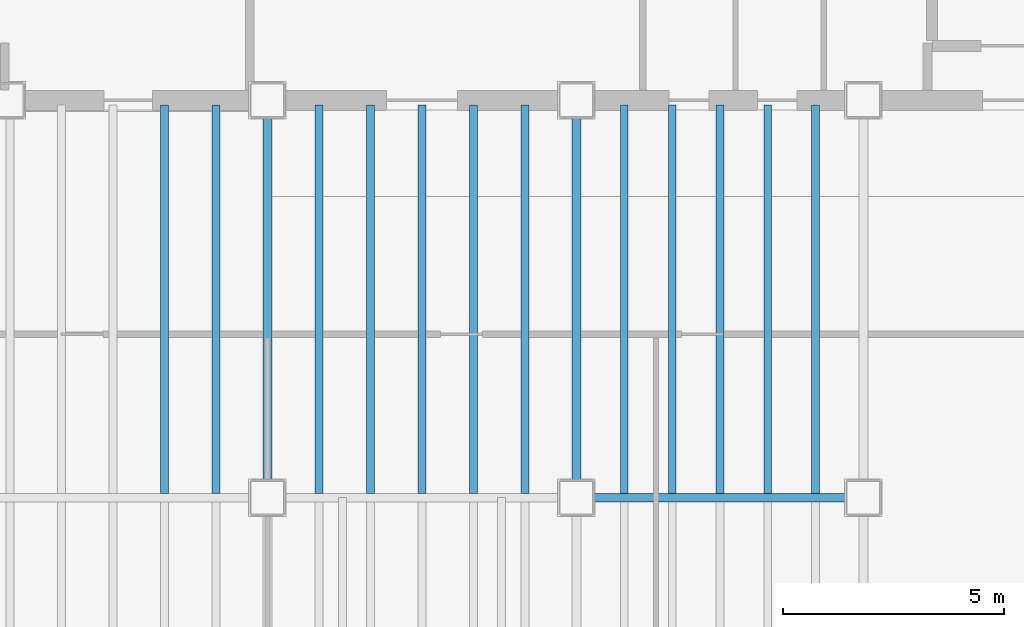
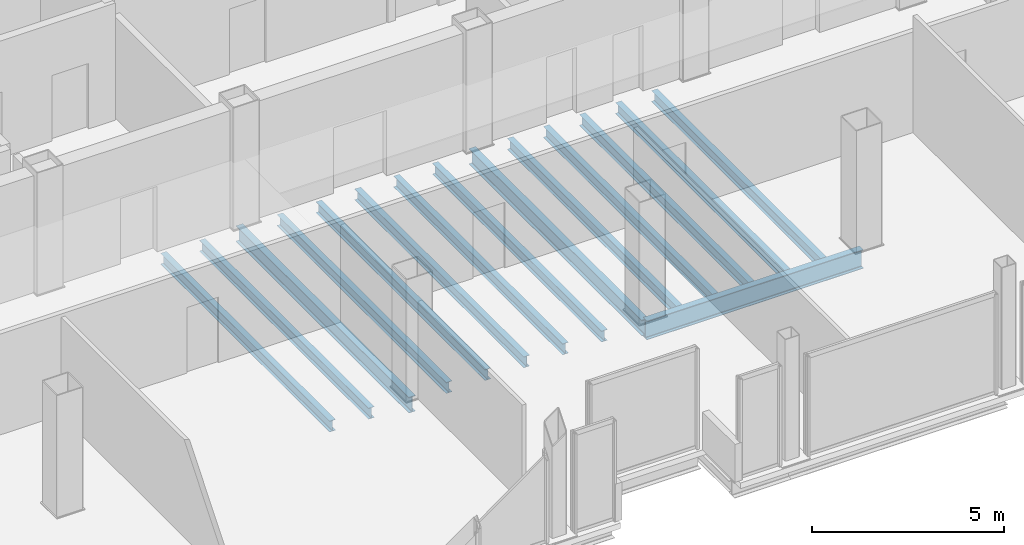
# One storey, part 7 of 16: 15 beams.
"""IFC4 building model written with IfcOpenShell, lengths in metres."""

from ifc_helpers import new_model, si_unit, direction, frame, origin, origin_2d, place, context, subcontext, project, spatial, i_section, extrude, material, material_profile, profile_set, type_object, element, save


model = new_model("IFC4")

# Units and contexts
model_context = context("Model", 3, precision=1e-05, world=origin(), true_north=direction((0.0, 1.0)))
body_context = subcontext(model_context, "Body", "Model", "MODEL_VIEW")
ifc_project = project(units=[si_unit("LENGTHUNIT", "METRE"), si_unit("AREAUNIT", "SQUARE_METRE"), si_unit("VOLUMEUNIT", "CUBIC_METRE"), si_unit("PLANEANGLEUNIT", "RADIAN"), si_unit("MASSUNIT", "GRAM", prefix="KILO")], contexts=[model_context])

# Site, building, storey
site_placement = place(None, origin())
site = spatial("IfcSite", under=ifc_project, at=site_placement, CompositionType="ELEMENT")
building_placement = place(site_placement, origin())
building = spatial("IfcBuilding", under=site, at=building_placement, Name="Noeulbin Bourse Tower", CompositionType="ELEMENT")
storey_placement = place(building_placement, frame((0.0, 0.0, 238.39990234375)))
storey = spatial("IfcBuildingStorey", under=building, at=storey_placement, Name="L59", CompositionType="ELEMENT", Elevation=238.39990234375)

# Beams
ifc_material = material(Name="Steel S355", Category="steel")
ifc_material_profile_1 = material_profile(ifc_material, i_section(OverallWidth=0.199951171875, OverallDepth=0.5, WebThickness=0.010009765625, FlangeThickness=0.01611328125, FilletRadius=0.02001953125, at=origin_2d()), Name="H-500x200x10x16", Category="LoadBearing")
ifc_profile_set_1 = profile_set([ifc_material_profile_1], Name="Steel S355")
beam_type_1 = type_object("IfcBeamType", Name="BM-GRD-500", PredefinedType="USERDEFINED", material=ifc_profile_set_1)
for number, where, z_axis, x_axis, name in (
    (1, (24.0, 20.0, -0.429931640625), (0.0, 1.0, 0.0), (-1.0, 0.0, 0.0), "Tower Primary Girder NS L59-2.2"),
    (2, (31.0, 20.0, -0.429931640625), (0.0, 1.0, 0.0), (-1.0, 0.0, 0.0), "Tower Primary Girder NS L59-3.2"),
):
    element("IfcBeam", number, at=place(storey_placement, frame(where, z_axis=z_axis, x_axis=x_axis)), inside=storey, type_object=beam_type_1, Name=name, ObjectType="GIRDER", PredefinedType="USERDEFINED", context=body_context, shape_type="SweptSolid", body=[
        extrude(i_section(OverallWidth=0.199951171875, OverallDepth=0.5, WebThickness=0.010009765625, FlangeThickness=0.01611328125, FilletRadius=0.02001953125, at=origin_2d()), origin(), (0.0, 0.0, 1.0), 9.0),
    ])
ifc_material_profile_2 = material_profile(ifc_material, i_section(OverallWidth=0.199951171875, OverallDepth=0.60009765625, WebThickness=0.010986328125, FlangeThickness=0.01708984375, FilletRadius=0.02197265625, at=origin_2d()), Name="H-600x200x11x17", Category="LoadBearing")
ifc_profile_set_2 = profile_set([ifc_material_profile_2], Name="Steel S355")
beam_type_2 = type_object("IfcBeamType", Name="BM-GRD-600", PredefinedType="USERDEFINED", material=ifc_profile_set_2)
beam_placement = place(storey_placement, frame((31.0, 20.0, -0.47998046875), z_axis=(1.0, 0.0, 0.0), x_axis=(0.0, 1.0, 0.0)))
element("IfcBeam", 3, at=beam_placement, inside=storey, type_object=beam_type_2, Name="Tower Primary Girder EW L59-1.4", ObjectType="GIRDER", PredefinedType="USERDEFINED", context=body_context, shape_type="SweptSolid", body=[
    extrude(i_section(OverallWidth=0.199951171875, OverallDepth=0.60009765625, WebThickness=0.010986328125, FlangeThickness=0.01708984375, FilletRadius=0.02197265625, at=origin_2d()), origin(), (0.0, 0.0, 1.0), 6.5),
])
ifc_material_profile_3 = material_profile(ifc_material, i_section(OverallWidth=0.175048828125, OverallDepth=0.35009765625, WebThickness=0.007080078125, FlangeThickness=0.010986328125, FilletRadius=0.013916015625, at=origin_2d()), Name="H-350x175x7x11", Category="LoadBearing")
ifc_profile_set_3 = profile_set([ifc_material_profile_3], Name="Steel S355")
beam_type_3 = type_object("IfcBeamType", Name="BM-JST-350", PredefinedType="JOIST", material=ifc_profile_set_3)
for number, where, z_axis, x_axis, name in (
    (4, (21.666748046875, 20.10009765625, -0.35498046875), (0.0, 1.0, 0.0), (-1.0, 0.0, 0.0), "Tower Composite Joist L59-14"),
    (5, (22.833251953125, 20.10009765625, -0.35498046875), (0.0, 1.0, 0.0), (-1.0, 0.0, 0.0), "Tower Composite Joist L59-16"),
    (6, (25.166748046875, 20.10009765625, -0.35498046875), (0.0, 1.0, 0.0), (-1.0, 0.0, 0.0), "Tower Composite Joist L59-18"),
    (7, (26.333251953125, 20.10009765625, -0.35498046875), (0.0, 1.0, 0.0), (-1.0, 0.0, 0.0), "Tower Composite Joist L59-20"),
    (8, (27.5, 20.10009765625, -0.35498046875), (0.0, 1.0, 0.0), (-1.0, 0.0, 0.0), "Tower Composite Joist L59-22"),
    (9, (28.666748046875, 20.10009765625, -0.35498046875), (0.0, 1.0, 0.0), (-1.0, 0.0, 0.0), "Tower Composite Joist L59-24"),
    (10, (29.833251953125, 20.10009765625, -0.35498046875), (0.0, 1.0, 0.0), (-1.0, 0.0, 0.0), "Tower Composite Joist L59-26"),
    (11, (32.083251953125, 20.10009765625, -0.35498046875), (0.0, 1.0, 0.0), (-1.0, 0.0, 0.0), "Tower Composite Joist L59-28"),
    (12, (33.166748046875, 20.10009765625, -0.35498046875), (0.0, 1.0, 0.0), (-1.0, 0.0, 0.0), "Tower Composite Joist L59-30"),
    (13, (34.25, 20.10009765625, -0.35498046875), (0.0, 1.0, 0.0), (-1.0, 0.0, 0.0), "Tower Composite Joist L59-32"),
    (14, (35.333251953125, 20.10009765625, -0.35498046875), (0.0, 1.0, 0.0), (-1.0, 0.0, 0.0), "Tower Composite Joist L59-34"),
    (15, (36.416748046875, 20.10009765625, -0.35498046875), (0.0, 1.0, 0.0), (-1.0, 0.0, 0.0), "Tower Composite Joist L59-36"),
):
    element("IfcBeam", number, at=place(storey_placement, frame(where, z_axis=z_axis, x_axis=x_axis)), inside=storey, type_object=beam_type_3, Name=name, PredefinedType="JOIST", context=body_context, shape_type="SweptSolid", body=[
        extrude(i_section(OverallWidth=0.175048828125, OverallDepth=0.35009765625, WebThickness=0.007080078125, FlangeThickness=0.010986328125, FilletRadius=0.013916015625, at=origin_2d()), origin(), (0.0, 0.0, 1.0), 8.7998046875),
    ])

save(model, "model.ifc")
